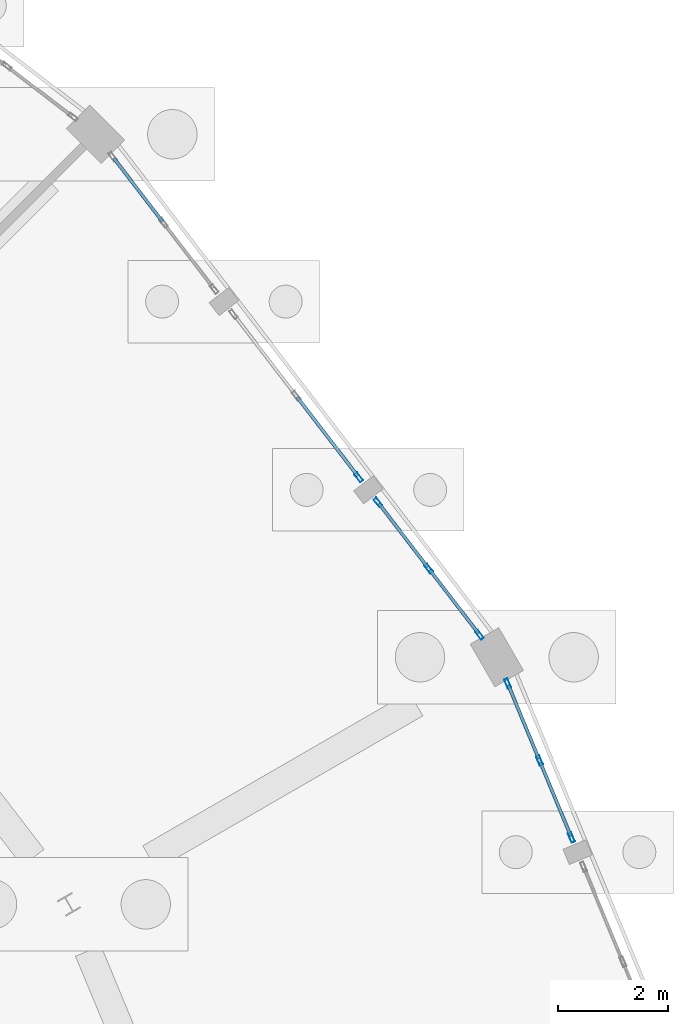
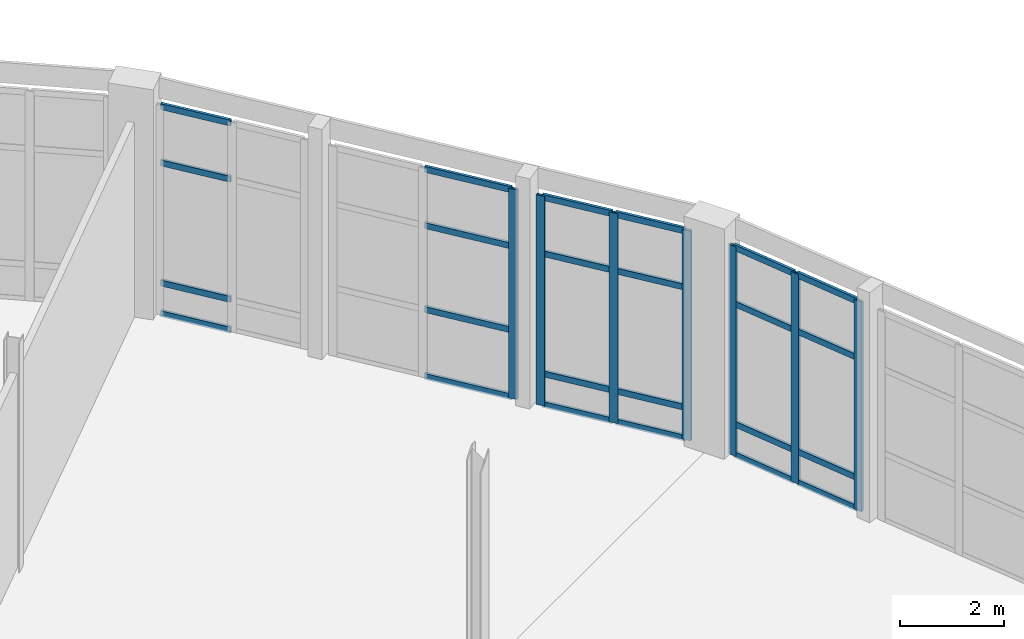
# One storey, part 80 of 137: 31 members, 4 elements without a shape of their own.
"""IFC4 building model written with IfcOpenShell, lengths in metres."""

from ifc_helpers import new_model, si_unit, direction, frame, origin, origin_2d, place, context, subcontext, project, spatial, hollow_rectangle, extrude, material, material_profile, profile_set, type_object, element, aggregate, save


model = new_model("IFC4")

# Units and contexts
model_context = context("Model", 3, precision=1e-05, world=origin(), true_north=direction((0.0, 1.0)))
body_context = subcontext(model_context, "Body", "Model", "MODEL_VIEW")
ifc_project = project(units=[si_unit("LENGTHUNIT", "METRE"), si_unit("AREAUNIT", "SQUARE_METRE"), si_unit("VOLUMEUNIT", "CUBIC_METRE"), si_unit("PLANEANGLEUNIT", "RADIAN"), si_unit("MASSUNIT", "GRAM", prefix="KILO")], contexts=[model_context])

# Site, building, storey
site_placement = place(None, origin())
site = spatial("IfcSite", under=ifc_project, at=site_placement, CompositionType="ELEMENT")
building_placement = place(site_placement, origin())
building = spatial("IfcBuilding", under=site, at=building_placement, Name="Vondelvale Polytechnic", CompositionType="ELEMENT")
storey_placement = place(building_placement, origin())
storey = spatial("IfcBuildingStorey", under=building, at=storey_placement, Name="L00", CompositionType="ELEMENT", Elevation=0.0)

# Curtain wall, members
ifc_material_1 = material(Name="Glulam GL18 structural Tasmanian oak (fb = 42 MPa)", Category="wood")
curtain_wall_type = type_object("IfcCurtainWallType", Name="CW-RING-OUTER", PredefinedType="NOTDEFINED", material=ifc_material_1)
curtain_wall_1_placement = place(storey_placement, origin())
curtain_wall_1 = element("IfcCurtainWall", 1, at=curtain_wall_1_placement, inside=storey, type_object=curtain_wall_type, Name="L00 architectural curtain wall CW-04-076", PredefinedType="NOTDEFINED")
ifc_material_2 = material(Name="Anodised extruded aluminium 6063-T6", Category="aluminium")
ifc_material_profile_1 = material_profile(ifc_material_2, hollow_rectangle(XDim=0.06494140625, YDim=0.179931640625, WallThickness=0.00390625, at=origin_2d()), Name="CW-MUL-180x65")
ifc_profile_set_1 = profile_set([ifc_material_profile_1], Name="Anodised extruded aluminium 6063-T6")
member_type_1 = type_object("IfcMemberType", Name="CW-MUL-65x180", PredefinedType="MULLION", material=ifc_profile_set_1)
member_1_placement = place(storey_placement, frame((143.19775390625, 91.71533203125, 0.0), z_axis=(0.0, 0.0, 1.0), x_axis=(-0.92388135159, -0.382679040691, 0.0)))
member_1 = element("IfcMember", 2, at=member_1_placement, type_object=member_type_1, Name="CW-04-076 mullion 1", PredefinedType="MULLION", context=body_context, shape_type="SweptSolid", body=[
    extrude(hollow_rectangle(XDim=0.06494140625, YDim=0.179931640625, WallThickness=0.00390625, at=origin_2d()), origin(), (0.0, 0.0, 1.0), 4.919921875),
])
member_2_placement = place(storey_placement, frame((142.6162109375, 93.119140625, 0.0), z_axis=(0.0, 0.0, 1.0), x_axis=(-0.92388135159, -0.382679040691, 0.0)))
member_2 = element("IfcMember", 3, at=member_2_placement, type_object=member_type_1, Name="CW-04-076 mullion 2", PredefinedType="MULLION", context=body_context, shape_type="SweptSolid", body=[
    extrude(hollow_rectangle(XDim=0.06494140625, YDim=0.179931640625, WallThickness=0.00390625, at=origin_2d()), origin(), (0.0, 0.0, 1.0), 4.919921875),
])
member_3_placement = place(storey_placement, frame((142.034912109375, 94.522705078125, 0.0), z_axis=(0.0, 0.0, 1.0), x_axis=(-0.92388135159, -0.382679040691, 0.0)))
member_3 = element("IfcMember", 4, at=member_3_placement, type_object=member_type_1, Name="CW-04-076 mullion 3", PredefinedType="MULLION", context=body_context, shape_type="SweptSolid", body=[
    extrude(hollow_rectangle(XDim=0.06494140625, YDim=0.179931640625, WallThickness=0.00390625, at=origin_2d()), origin(), (0.0, 0.0, 1.0), 4.919921875),
])

curtain_wall_2_placement = place(storey_placement, origin())
curtain_wall_2 = element("IfcCurtainWall", 5, at=curtain_wall_2_placement, inside=storey, type_object=curtain_wall_type, Name="L00 architectural curtain wall CW-04-086", PredefinedType="NOTDEFINED")
member_4_placement = place(storey_placement, frame((141.522705078125, 95.40966796875, 0.0), z_axis=(0.0, 0.0, 1.0), x_axis=(-0.793351666305, -0.608763610584, 0.0)))
member_4 = element("IfcMember", 6, at=member_4_placement, type_object=member_type_1, Name="CW-04-086 mullion 1", PredefinedType="MULLION", context=body_context, shape_type="SweptSolid", body=[
    extrude(hollow_rectangle(XDim=0.06494140625, YDim=0.179931640625, WallThickness=0.00390625, at=origin_2d()), origin(), (0.0, 0.0, 1.0), 4.919921875),
])
member_5_placement = place(storey_placement, frame((140.597900390625, 96.615234375, 0.0), z_axis=(0.0, 0.0, 1.0), x_axis=(-0.793351666305, -0.608763610584, 0.0)))
member_5 = element("IfcMember", 7, at=member_5_placement, type_object=member_type_1, Name="CW-04-086 mullion 2", PredefinedType="MULLION", context=body_context, shape_type="SweptSolid", body=[
    extrude(hollow_rectangle(XDim=0.06494140625, YDim=0.179931640625, WallThickness=0.00390625, at=origin_2d()), origin(), (0.0, 0.0, 1.0), 4.919921875),
])
member_6_placement = place(storey_placement, frame((139.6728515625, 97.820556640625, 0.0), z_axis=(0.0, 0.0, 1.0), x_axis=(-0.793351666305, -0.608763610584, 0.0)))
member_6 = element("IfcMember", 8, at=member_6_placement, type_object=member_type_1, Name="CW-04-086 mullion 3", PredefinedType="MULLION", context=body_context, shape_type="SweptSolid", body=[
    extrude(hollow_rectangle(XDim=0.06494140625, YDim=0.179931640625, WallThickness=0.00390625, at=origin_2d()), origin(), (0.0, 0.0, 1.0), 4.919921875),
])

# Curtain wall, member
curtain_wall_3_placement = place(storey_placement, origin())
curtain_wall_3 = element("IfcCurtainWall", 9, at=curtain_wall_3_placement, inside=storey, type_object=curtain_wall_type, Name="L00 architectural curtain wall CW-04-087", PredefinedType="NOTDEFINED")
member_7_placement = place(storey_placement, frame((139.322998046875, 98.276611328125, 0.0), z_axis=(0.0, 0.0, 1.0), x_axis=(-0.793345851043, -0.608771189063, 0.0)))
member_7 = element("IfcMember", 10, at=member_7_placement, type_object=member_type_1, Name="CW-04-087 mullion 1", PredefinedType="MULLION", context=body_context, shape_type="SweptSolid", body=[
    extrude(hollow_rectangle(XDim=0.06494140625, YDim=0.179931640625, WallThickness=0.00390625, at=origin_2d()), origin(), (0.0, 0.0, 1.0), 4.919921875),
])

# Member
ifc_material_profile_2 = material_profile(ifc_material_2, hollow_rectangle(XDim=0.06005859375, YDim=0.139892578125, WallThickness=0.00341796875, at=origin_2d()), Name="CW-TRN-140x60")
ifc_profile_set_2 = profile_set([ifc_material_profile_2], Name="Anodised extruded aluminium 6063-T6")
member_type_2 = type_object("IfcMemberType", Name="CW-TRN-60x140", PredefinedType="USERDEFINED", material=ifc_profile_set_2)
member_8_placement = place(storey_placement, frame((143.185302734375, 91.745361328125, 0.030029296875), z_axis=(-0.382707581205, 0.923869529365, 0.0), x_axis=(-0.923869529365, -0.382707581205, 0.0)))
member_8 = element("IfcMember", 11, at=member_8_placement, type_object=member_type_2, Name="CW-04-076 transom 1.1", ObjectType="TRANSOM", PredefinedType="USERDEFINED", context=body_context, shape_type="SweptSolid", body=[
    extrude(hollow_rectangle(XDim=0.06005859375, YDim=0.139892578125, WallThickness=0.00341796875, at=origin_2d()), origin(), (0.0, 0.0, 1.0), 1.45458984375),
])

member_9_placement = place(storey_placement, frame((143.185302734375, 91.745361328125, 0.75), z_axis=(-0.382707581205, 0.923869529365, 0.0), x_axis=(-0.923869529365, -0.382707581205, 0.0)))
member_9 = element("IfcMember", 12, at=member_9_placement, type_object=member_type_2, Name="CW-04-076 transom 1.2", ObjectType="TRANSOM", PredefinedType="USERDEFINED", context=body_context, shape_type="SweptSolid", body=[
    extrude(hollow_rectangle(XDim=0.06005859375, YDim=0.139892578125, WallThickness=0.00341796875, at=origin_2d()), origin(), (0.0, 0.0, 1.0), 1.45458984375),
])

member_10_placement = place(storey_placement, frame((143.185302734375, 91.745361328125, 3.570068359375), z_axis=(-0.382707581205, 0.923869529365, 0.0), x_axis=(-0.923869529365, -0.382707581205, 0.0)))
member_10 = element("IfcMember", 13, at=member_10_placement, type_object=member_type_2, Name="CW-04-076 transom 1.3", ObjectType="TRANSOM", PredefinedType="USERDEFINED", context=body_context, shape_type="SweptSolid", body=[
    extrude(hollow_rectangle(XDim=0.06005859375, YDim=0.139892578125, WallThickness=0.00341796875, at=origin_2d()), origin(), (0.0, 0.0, 1.0), 1.45458984375),
])

member_11_placement = place(storey_placement, frame((143.185302734375, 91.745361328125, 4.889892578125), z_axis=(-0.382707581205, 0.923869529365, 0.0), x_axis=(-0.923869529365, -0.382707581205, 0.0)))
member_11 = element("IfcMember", 14, at=member_11_placement, type_object=member_type_2, Name="CW-04-076 transom 1.4", ObjectType="TRANSOM", PredefinedType="USERDEFINED", context=body_context, shape_type="SweptSolid", body=[
    extrude(hollow_rectangle(XDim=0.06005859375, YDim=0.139892578125, WallThickness=0.00341796875, at=origin_2d()), origin(), (0.0, 0.0, 1.0), 1.45458984375),
])

member_12_placement = place(storey_placement, frame((142.603759765625, 93.149169921875, 0.030029296875), z_axis=(-0.38262364032, 0.92390429692, 0.0), x_axis=(-0.92390429692, -0.38262364032, 0.0)))
member_12 = element("IfcMember", 15, at=member_12_placement, type_object=member_type_2, Name="CW-04-076 transom 2.1", ObjectType="TRANSOM", PredefinedType="USERDEFINED", context=body_context, shape_type="SweptSolid", body=[
    extrude(hollow_rectangle(XDim=0.06005859375, YDim=0.139892578125, WallThickness=0.00341796875, at=origin_2d()), origin(), (0.0, 0.0, 1.0), 1.4541015625),
])

member_13_placement = place(storey_placement, frame((142.603759765625, 93.149169921875, 0.75), z_axis=(-0.38262364032, 0.92390429692, 0.0), x_axis=(-0.92390429692, -0.38262364032, 0.0)))
member_13 = element("IfcMember", 16, at=member_13_placement, type_object=member_type_2, Name="CW-04-076 transom 2.2", ObjectType="TRANSOM", PredefinedType="USERDEFINED", context=body_context, shape_type="SweptSolid", body=[
    extrude(hollow_rectangle(XDim=0.06005859375, YDim=0.139892578125, WallThickness=0.00341796875, at=origin_2d()), origin(), (0.0, 0.0, 1.0), 1.4541015625),
])

member_14_placement = place(storey_placement, frame((142.603759765625, 93.149169921875, 3.570068359375), z_axis=(-0.38262364032, 0.92390429692, 0.0), x_axis=(-0.92390429692, -0.38262364032, 0.0)))
member_14 = element("IfcMember", 17, at=member_14_placement, type_object=member_type_2, Name="CW-04-076 transom 2.3", ObjectType="TRANSOM", PredefinedType="USERDEFINED", context=body_context, shape_type="SweptSolid", body=[
    extrude(hollow_rectangle(XDim=0.06005859375, YDim=0.139892578125, WallThickness=0.00341796875, at=origin_2d()), origin(), (0.0, 0.0, 1.0), 1.4541015625),
])

member_15_placement = place(storey_placement, frame((142.603759765625, 93.149169921875, 4.889892578125), z_axis=(-0.38262364032, 0.92390429692, 0.0), x_axis=(-0.92390429692, -0.38262364032, 0.0)))
member_15 = element("IfcMember", 18, at=member_15_placement, type_object=member_type_2, Name="CW-04-076 transom 2.4", ObjectType="TRANSOM", PredefinedType="USERDEFINED", context=body_context, shape_type="SweptSolid", body=[
    extrude(hollow_rectangle(XDim=0.06005859375, YDim=0.139892578125, WallThickness=0.00341796875, at=origin_2d()), origin(), (0.0, 0.0, 1.0), 1.4541015625),
])

aggregate(curtain_wall_1, [member_1, member_2, member_3, member_8, member_9, member_10, member_11, member_12, member_13, member_14, member_15])

member_16_placement = place(storey_placement, frame((141.5029296875, 95.435546875, 0.030029296875), z_axis=(-0.608720500097, 0.793384744473, 0.0), x_axis=(-0.793384744473, -0.608720500097, 0.0)))
member_16 = element("IfcMember", 19, at=member_16_placement, type_object=member_type_2, Name="CW-04-086 transom 1.1", ObjectType="TRANSOM", PredefinedType="USERDEFINED", context=body_context, shape_type="SweptSolid", body=[
    extrude(hollow_rectangle(XDim=0.06005859375, YDim=0.139892578125, WallThickness=0.00341796875, at=origin_2d()), origin(), (0.0, 0.0, 1.0), 1.454345703125),
])

member_17_placement = place(storey_placement, frame((141.5029296875, 95.435546875, 0.75), z_axis=(-0.608720500097, 0.793384744473, 0.0), x_axis=(-0.793384744473, -0.608720500097, 0.0)))
member_17 = element("IfcMember", 20, at=member_17_placement, type_object=member_type_2, Name="CW-04-086 transom 1.2", ObjectType="TRANSOM", PredefinedType="USERDEFINED", context=body_context, shape_type="SweptSolid", body=[
    extrude(hollow_rectangle(XDim=0.06005859375, YDim=0.139892578125, WallThickness=0.00341796875, at=origin_2d()), origin(), (0.0, 0.0, 1.0), 1.454345703125),
])

member_18_placement = place(storey_placement, frame((141.5029296875, 95.435546875, 3.570068359375), z_axis=(-0.608720500097, 0.793384744473, 0.0), x_axis=(-0.793384744473, -0.608720500097, 0.0)))
member_18 = element("IfcMember", 21, at=member_18_placement, type_object=member_type_2, Name="CW-04-086 transom 1.3", ObjectType="TRANSOM", PredefinedType="USERDEFINED", context=body_context, shape_type="SweptSolid", body=[
    extrude(hollow_rectangle(XDim=0.06005859375, YDim=0.139892578125, WallThickness=0.00341796875, at=origin_2d()), origin(), (0.0, 0.0, 1.0), 1.454345703125),
])

member_19_placement = place(storey_placement, frame((141.5029296875, 95.435546875, 4.889892578125), z_axis=(-0.608720500097, 0.793384744473, 0.0), x_axis=(-0.793384744473, -0.608720500097, 0.0)))
member_19 = element("IfcMember", 22, at=member_19_placement, type_object=member_type_2, Name="CW-04-086 transom 1.4", ObjectType="TRANSOM", PredefinedType="USERDEFINED", context=body_context, shape_type="SweptSolid", body=[
    extrude(hollow_rectangle(XDim=0.06005859375, YDim=0.139892578125, WallThickness=0.00341796875, at=origin_2d()), origin(), (0.0, 0.0, 1.0), 1.454345703125),
])

member_20_placement = place(storey_placement, frame((140.578125, 96.640869140625, 0.030029296875), z_axis=(-0.608826155387, 0.793303669799, 0.0), x_axis=(-0.793303669799, -0.608826155387, 0.0)))
member_20 = element("IfcMember", 23, at=member_20_placement, type_object=member_type_2, Name="CW-04-086 transom 2.1", ObjectType="TRANSOM", PredefinedType="USERDEFINED", context=body_context, shape_type="SweptSolid", body=[
    extrude(hollow_rectangle(XDim=0.06005859375, YDim=0.139892578125, WallThickness=0.00341796875, at=origin_2d()), origin(), (0.0, 0.0, 1.0), 1.454345703125),
])

member_21_placement = place(storey_placement, frame((140.578125, 96.640869140625, 0.75), z_axis=(-0.608826155387, 0.793303669799, 0.0), x_axis=(-0.793303669799, -0.608826155387, 0.0)))
member_21 = element("IfcMember", 24, at=member_21_placement, type_object=member_type_2, Name="CW-04-086 transom 2.2", ObjectType="TRANSOM", PredefinedType="USERDEFINED", context=body_context, shape_type="SweptSolid", body=[
    extrude(hollow_rectangle(XDim=0.06005859375, YDim=0.139892578125, WallThickness=0.00341796875, at=origin_2d()), origin(), (0.0, 0.0, 1.0), 1.454345703125),
])

member_22_placement = place(storey_placement, frame((140.578125, 96.640869140625, 3.570068359375), z_axis=(-0.608826155387, 0.793303669799, 0.0), x_axis=(-0.793303669799, -0.608826155387, 0.0)))
member_22 = element("IfcMember", 25, at=member_22_placement, type_object=member_type_2, Name="CW-04-086 transom 2.3", ObjectType="TRANSOM", PredefinedType="USERDEFINED", context=body_context, shape_type="SweptSolid", body=[
    extrude(hollow_rectangle(XDim=0.06005859375, YDim=0.139892578125, WallThickness=0.00341796875, at=origin_2d()), origin(), (0.0, 0.0, 1.0), 1.454345703125),
])

member_23_placement = place(storey_placement, frame((140.578125, 96.640869140625, 4.889892578125), z_axis=(-0.608826155387, 0.793303669799, 0.0), x_axis=(-0.793303669799, -0.608826155387, 0.0)))
member_23 = element("IfcMember", 26, at=member_23_placement, type_object=member_type_2, Name="CW-04-086 transom 2.4", ObjectType="TRANSOM", PredefinedType="USERDEFINED", context=body_context, shape_type="SweptSolid", body=[
    extrude(hollow_rectangle(XDim=0.06005859375, YDim=0.139892578125, WallThickness=0.00341796875, at=origin_2d()), origin(), (0.0, 0.0, 1.0), 1.454345703125),
])

aggregate(curtain_wall_2, [member_4, member_5, member_6, member_16, member_17, member_18, member_19, member_20, member_21, member_22, member_23])

member_24_placement = place(storey_placement, frame((139.30322265625, 98.302490234375, 0.030029296875), z_axis=(-0.608816809849, 0.793310842007, 0.0), x_axis=(-0.793310842007, -0.608816809849, 0.0)))
member_24 = element("IfcMember", 27, at=member_24_placement, type_object=member_type_2, Name="CW-04-087 transom 1.1", ObjectType="TRANSOM", PredefinedType="USERDEFINED", context=body_context, shape_type="SweptSolid", body=[
    extrude(hollow_rectangle(XDim=0.06005859375, YDim=0.139892578125, WallThickness=0.00341796875, at=origin_2d()), origin(), (0.0, 0.0, 1.0), 1.808837890625),
])

member_25_placement = place(storey_placement, frame((139.30322265625, 98.302490234375, 1.60009765625), z_axis=(-0.608816809849, 0.793310842007, 0.0), x_axis=(-0.793310842007, -0.608816809849, 0.0)))
member_25 = element("IfcMember", 28, at=member_25_placement, type_object=member_type_2, Name="CW-04-087 transom 1.2", ObjectType="TRANSOM", PredefinedType="USERDEFINED", context=body_context, shape_type="SweptSolid", body=[
    extrude(hollow_rectangle(XDim=0.06005859375, YDim=0.139892578125, WallThickness=0.00341796875, at=origin_2d()), origin(), (0.0, 0.0, 1.0), 1.808837890625),
])

member_26_placement = place(storey_placement, frame((139.30322265625, 98.302490234375, 3.570068359375), z_axis=(-0.608816809849, 0.793310842007, 0.0), x_axis=(-0.793310842007, -0.608816809849, 0.0)))
member_26 = element("IfcMember", 29, at=member_26_placement, type_object=member_type_2, Name="CW-04-087 transom 1.3", ObjectType="TRANSOM", PredefinedType="USERDEFINED", context=body_context, shape_type="SweptSolid", body=[
    extrude(hollow_rectangle(XDim=0.06005859375, YDim=0.139892578125, WallThickness=0.00341796875, at=origin_2d()), origin(), (0.0, 0.0, 1.0), 1.808837890625),
])

member_27_placement = place(storey_placement, frame((139.30322265625, 98.302490234375, 4.889892578125), z_axis=(-0.608816809849, 0.793310842007, 0.0), x_axis=(-0.793310842007, -0.608816809849, 0.0)))
member_27 = element("IfcMember", 30, at=member_27_placement, type_object=member_type_2, Name="CW-04-087 transom 1.4", ObjectType="TRANSOM", PredefinedType="USERDEFINED", context=body_context, shape_type="SweptSolid", body=[
    extrude(hollow_rectangle(XDim=0.06005859375, YDim=0.139892578125, WallThickness=0.00341796875, at=origin_2d()), origin(), (0.0, 0.0, 1.0), 1.808837890625),
])

aggregate(curtain_wall_3, [member_7, member_24, member_25, member_26, member_27])

# Curtain wall, members
curtain_wall_4_placement = place(storey_placement, origin())
curtain_wall_4 = element("IfcCurtainWall", 31, at=curtain_wall_4_placement, inside=storey, type_object=curtain_wall_type, Name="L00 architectural curtain wall CW-04-088", PredefinedType="NOTDEFINED")
member_28_placement = place(storey_placement, frame((135.74658203125, 102.9375, 0.030029296875), z_axis=(-0.608826155387, 0.793303669799, 0.0), x_axis=(-0.793303669799, -0.608826155387, 0.0)))
member_28 = element("IfcMember", 32, at=member_28_placement, type_object=member_type_2, Name="CW-04-088 transom 2.1", ObjectType="TRANSOM", PredefinedType="USERDEFINED", context=body_context, shape_type="SweptSolid", body=[
    extrude(hollow_rectangle(XDim=0.06005859375, YDim=0.139892578125, WallThickness=0.00341796875, at=origin_2d()), origin(), (0.0, 0.0, 1.0), 1.454345703125),
])
member_29_placement = place(storey_placement, frame((135.74658203125, 102.9375, 0.75), z_axis=(-0.608826155387, 0.793303669799, 0.0), x_axis=(-0.793303669799, -0.608826155387, 0.0)))
member_29 = element("IfcMember", 33, at=member_29_placement, type_object=member_type_2, Name="CW-04-088 transom 2.2", ObjectType="TRANSOM", PredefinedType="USERDEFINED", context=body_context, shape_type="SweptSolid", body=[
    extrude(hollow_rectangle(XDim=0.06005859375, YDim=0.139892578125, WallThickness=0.00341796875, at=origin_2d()), origin(), (0.0, 0.0, 1.0), 1.454345703125),
])
member_30_placement = place(storey_placement, frame((135.74658203125, 102.9375, 3.570068359375), z_axis=(-0.608826155387, 0.793303669799, 0.0), x_axis=(-0.793303669799, -0.608826155387, 0.0)))
member_30 = element("IfcMember", 34, at=member_30_placement, type_object=member_type_2, Name="CW-04-088 transom 2.3", ObjectType="TRANSOM", PredefinedType="USERDEFINED", context=body_context, shape_type="SweptSolid", body=[
    extrude(hollow_rectangle(XDim=0.06005859375, YDim=0.139892578125, WallThickness=0.00341796875, at=origin_2d()), origin(), (0.0, 0.0, 1.0), 1.454345703125),
])
member_31_placement = place(storey_placement, frame((135.74658203125, 102.9375, 4.889892578125), z_axis=(-0.608826155387, 0.793303669799, 0.0), x_axis=(-0.793303669799, -0.608826155387, 0.0)))
member_31 = element("IfcMember", 35, at=member_31_placement, type_object=member_type_2, Name="CW-04-088 transom 2.4", ObjectType="TRANSOM", PredefinedType="USERDEFINED", context=body_context, shape_type="SweptSolid", body=[
    extrude(hollow_rectangle(XDim=0.06005859375, YDim=0.139892578125, WallThickness=0.00341796875, at=origin_2d()), origin(), (0.0, 0.0, 1.0), 1.454345703125),
])
aggregate(curtain_wall_4, [member_28, member_29, member_30, member_31])

save(model, "model.ifc")
